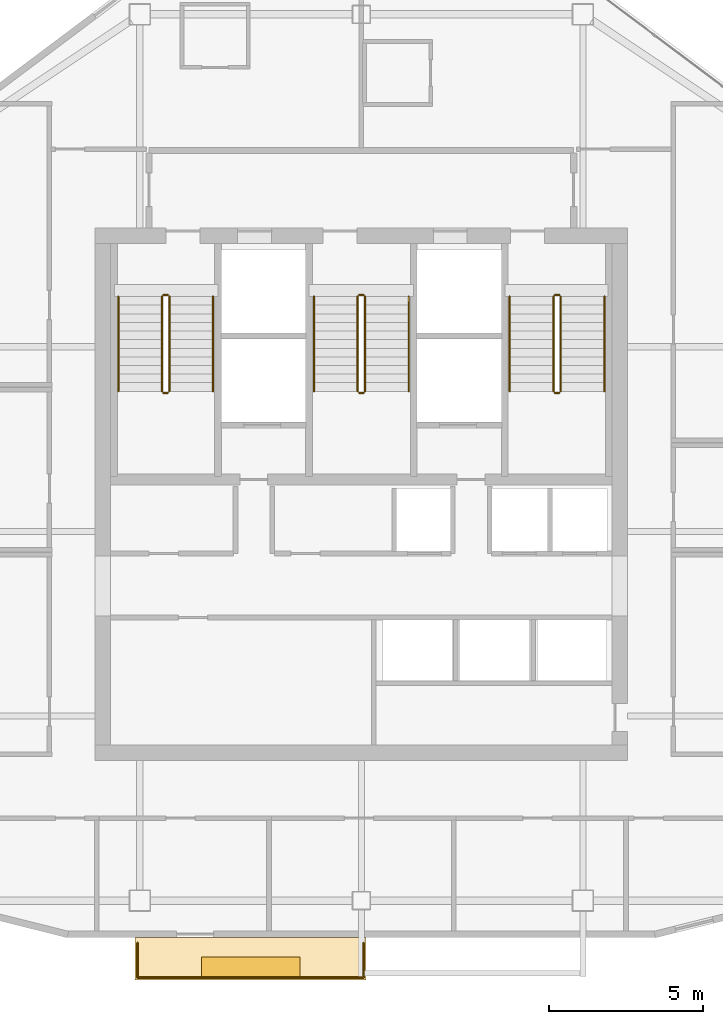
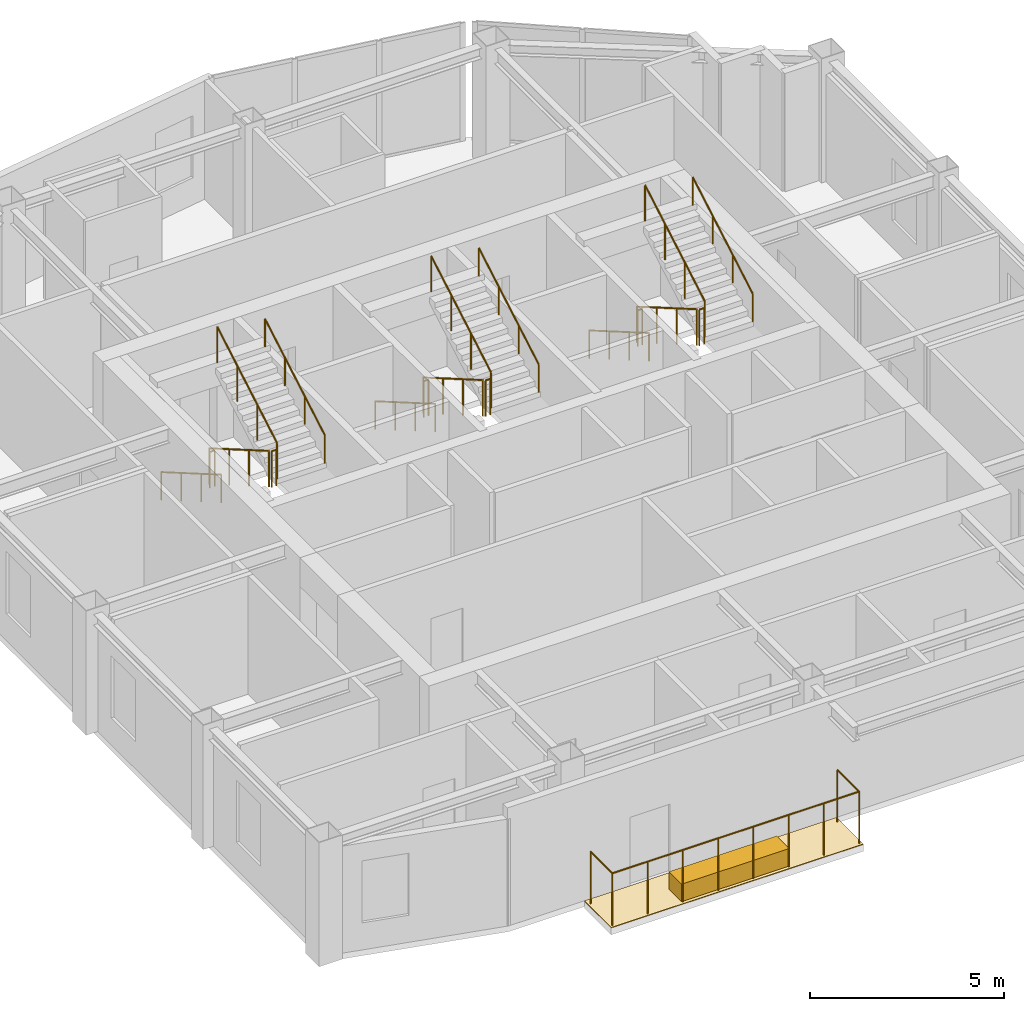
# One storey, part 8 of 8: 20 railings, 2 coverings.
"""IFC4 building model written with IfcOpenShell, lengths in metres."""

from ifc_helpers import new_model, si_unit, direction, frame, origin, origin_2d, place, context, subcontext, project, spatial, polyline, rectangle, circle, outline, extrude, material, layer, layer_set, type_object, element, save


model = new_model("IFC4")

# Units and contexts
model_context = context("Model", 3, precision=1e-05, world=origin(), true_north=direction((0.0, 1.0)))
body_context = subcontext(model_context, "Body", "Model", "MODEL_VIEW")
ifc_project = project(units=[si_unit("LENGTHUNIT", "METRE"), si_unit("AREAUNIT", "SQUARE_METRE"), si_unit("VOLUMEUNIT", "CUBIC_METRE"), si_unit("PLANEANGLEUNIT", "RADIAN"), si_unit("MASSUNIT", "GRAM", prefix="KILO")], contexts=[model_context])

# Site, building, storey
site_placement = place(None, origin())
site = spatial("IfcSite", under=ifc_project, at=site_placement, CompositionType="ELEMENT")
building_placement = place(site_placement, origin())
building = spatial("IfcBuilding", under=site, at=building_placement, Name="Haolan Belvedere Tower", CompositionType="ELEMENT")
storey_placement = place(building_placement, frame((0.0, 0.0, 301.699951171875)))
storey = spatial("IfcBuildingStorey", under=building, at=storey_placement, Name="L76", CompositionType="ELEMENT", Elevation=301.699951171875)

# Coverings
ifc_material_1 = material(Name="Engineered lightweight planted garden soil substrate", Category="masonry")
ifc_layer_1 = layer(ifc_material_1, 0.550048828125, Name="Engineered lightweight planted garden soil substrate")
ifc_layer_set_1 = layer_set([ifc_layer_1], Name="Engineered lightweight planted garden soil substrate")
covering_type_1 = type_object("IfcCoveringType", Name="COV-PLANT-550", PredefinedType="MEMBRANE", material=ifc_layer_set_1)
covering_1_placement = place(storey_placement, frame((34.800048828125, 19.43994140625, 0.0), z_axis=(0.0, 0.0, 1.0), x_axis=(1.0, 0.0, 0.0)))
element("IfcCovering", 1, at=covering_1_placement, inside=storey, type_object=covering_type_1, Name="L76 structural tree balcony PLANTER box 1", PredefinedType="MEMBRANE", context=body_context, shape_type="SweptSolid", body=[
    extrude(rectangle(XDim=3.199951171875, YDim=0.64990234375, at=origin_2d()), origin(), (0.0, 0.0, 1.0), 0.550048828125),
])
ifc_material_2 = material(Name="Elastomeric waterproof roofing membrane and stone pavers", Category="masonry")
ifc_layer_2 = layer(ifc_material_2, 0.02001953125, Name="Elastomeric waterproof roofing membrane and stone pavers")
ifc_layer_set_2 = layer_set([ifc_layer_2], Name="Elastomeric waterproof roofing membrane and stone pavers")
covering_type_2 = type_object("IfcCoveringType", Name="COV-ROOF-20", PredefinedType="ROOFING", material=ifc_layer_set_2)
covering_2_placement = place(storey_placement, frame((0.0, 0.0, -0.02001953125)))
element("IfcCovering", 2, at=covering_2_placement, inside=storey, type_object=covering_type_2, Name="L76 tree-balcony waterproof membrane 1", PredefinedType="ROOFING", context=body_context, shape_type="SweptSolid", body=[
    extrude(outline(polyline([(31.050048828125, 19.02001953125), (38.550048828125, 19.02001953125), (38.550048828125, 20.39990234375), (31.050048828125, 20.39990234375), (31.050048828125, 19.02001953125)])), origin(), (0.0, 0.0, 1.0), 0.02001953125),
])

# Railings
ifc_material_3 = material(Name="Brushed stainless steel 304", Category="steel")
railing_type_1 = type_object("IfcRailingType", Name="RL-STAIR-GRD-1150", PredefinedType="GUARDRAIL", material=ifc_material_3)
railing_1_placement = place(storey_placement, frame((31.919921875, 41.22998046875, 0.16259765625)))
element("IfcRailing", 3, at=railing_1_placement, inside=storey, type_object=railing_type_1, Name="L76 ST1 stair guard 1", PredefinedType="GUARDRAIL", context=body_context, shape_type="SweptSolid", body=[
    extrude(circle(Radius=0.02392578125, at=origin_2d()), frame((0.0, 0.0, 1.1259765625), z_axis=(0.0, -0.864920483161, 0.501908913857), x_axis=(1.0, 0.0, 0.0)), (0.0, 0.0, 1.0), 3.56103515625),
    extrude(circle(Radius=0.02099609375, at=origin_2d()), origin(), (0.0, 0.0, 1.0), 1.101806640625),
    extrude(circle(Radius=0.02099609375, at=origin_2d()), frame((0.0, -1.026611328125, 0.595703125)), (0.0, 0.0, 1.0), 1.101806640625),
    extrude(circle(Radius=0.02099609375, at=origin_2d()), frame((0.0, -2.053466796875, 1.191650390625)), (0.0, 0.0, 1.0), 1.101806640625),
    extrude(circle(Radius=0.02099609375, at=origin_2d()), frame((0.0, -3.080078125, 1.787353515625)), (0.0, 0.0, 1.0), 1.101806640625),
])
railing_2_placement = place(storey_placement, frame((31.969970703125, 38.10009765625, 1.949951171875)))
element("IfcRailing", 4, at=railing_2_placement, inside=storey, type_object=railing_type_1, Name="L76 ST1 stair guard 2", PredefinedType="GUARDRAIL", context=body_context, shape_type="SweptSolid", body=[
    extrude(circle(Radius=0.02392578125, at=origin_2d()), frame((0.0, 0.0, 1.1259765625), z_axis=(1.0, 0.0, 0.0), x_axis=(0.0, 1.0, 0.0)), (0.0, 0.0, 1.0), 0.14013671875),
    extrude(circle(Radius=0.02099609375, at=origin_2d()), origin(), (0.0, 0.0, 1.0), 1.101806640625),
    extrude(circle(Radius=0.02099609375, at=origin_2d()), frame((0.14013671875, 0.0, 0.0)), (0.0, 0.0, 1.0), 1.101806640625),
])
railing_3_placement = place(storey_placement, frame((32.159912109375, 38.14990234375, 2.112548828125)))
element("IfcRailing", 5, at=railing_3_placement, inside=storey, type_object=railing_type_1, Name="L76 ST1 stair guard 3", PredefinedType="GUARDRAIL", context=body_context, shape_type="SweptSolid", body=[
    extrude(circle(Radius=0.02392578125, at=origin_2d()), frame((0.0, 0.0, 1.1259765625), z_axis=(0.0, 0.864890721111, 0.501960198159), x_axis=(-1.0, 0.0, 0.0)), (0.0, 0.0, 1.0), 3.561279296875),
    extrude(circle(Radius=0.02099609375, at=origin_2d()), origin(), (0.0, 0.0, 1.0), 1.101806640625),
    extrude(circle(Radius=0.02099609375, at=origin_2d()), frame((0.0, 1.026611328125, 0.595947265625)), (0.0, 0.0, 1.0), 1.101806640625),
    extrude(circle(Radius=0.02099609375, at=origin_2d()), frame((0.0, 2.053466796875, 1.191650390625)), (0.0, 0.0, 1.0), 1.101806640625),
    extrude(circle(Radius=0.02099609375, at=origin_2d()), frame((0.0, 3.080078125, 1.78759765625)), (0.0, 0.0, 1.0), 1.101806640625),
])
railing_4_placement = place(storey_placement, frame((31.969970703125, 41.280029296875, 0.0)))
element("IfcRailing", 6, at=railing_4_placement, inside=storey, type_object=railing_type_1, Name="L76 ST1 stair guard 4", PredefinedType="GUARDRAIL", context=body_context, shape_type="SweptSolid", body=[
    extrude(circle(Radius=0.02392578125, at=origin_2d()), frame((0.0, 0.0, 1.1259765625), z_axis=(1.0, 0.0, 0.0), x_axis=(0.0, 1.0, 0.0)), (0.0, 0.0, 1.0), 0.14013671875),
    extrude(circle(Radius=0.02099609375, at=origin_2d()), origin(), (0.0, 0.0, 1.0), 1.101806640625),
    extrude(circle(Radius=0.02099609375, at=origin_2d()), frame((0.14013671875, 0.0, 0.0)), (0.0, 0.0, 1.0), 1.101806640625),
])
railing_5_placement = place(storey_placement, frame((38.280029296875, 41.22998046875, 0.16259765625)))
element("IfcRailing", 7, at=railing_5_placement, inside=storey, type_object=railing_type_1, Name="L76 ST3 stair guard 1", PredefinedType="GUARDRAIL", context=body_context, shape_type="SweptSolid", body=[
    extrude(circle(Radius=0.02392578125, at=origin_2d()), frame((0.0, 0.0, 1.1259765625), z_axis=(0.0, -0.864920483161, 0.501908913857), x_axis=(1.0, 0.0, 0.0)), (0.0, 0.0, 1.0), 3.56103515625),
    extrude(circle(Radius=0.02099609375, at=origin_2d()), origin(), (0.0, 0.0, 1.0), 1.101806640625),
    extrude(circle(Radius=0.02099609375, at=origin_2d()), frame((0.0, -1.026611328125, 0.595703125)), (0.0, 0.0, 1.0), 1.101806640625),
    extrude(circle(Radius=0.02099609375, at=origin_2d()), frame((0.0, -2.053466796875, 1.191650390625)), (0.0, 0.0, 1.0), 1.101806640625),
    extrude(circle(Radius=0.02099609375, at=origin_2d()), frame((0.0, -3.080078125, 1.787353515625)), (0.0, 0.0, 1.0), 1.101806640625),
])
railing_6_placement = place(storey_placement, frame((38.330078125, 38.10009765625, 1.949951171875)))
element("IfcRailing", 8, at=railing_6_placement, inside=storey, type_object=railing_type_1, Name="L76 ST3 stair guard 2", PredefinedType="GUARDRAIL", context=body_context, shape_type="SweptSolid", body=[
    extrude(circle(Radius=0.02392578125, at=origin_2d()), frame((0.0, 0.0, 1.1259765625), z_axis=(1.0, 0.0, 0.0), x_axis=(0.0, 1.0, 0.0)), (0.0, 0.0, 1.0), 0.139892578125),
    extrude(circle(Radius=0.02099609375, at=origin_2d()), origin(), (0.0, 0.0, 1.0), 1.101806640625),
    extrude(circle(Radius=0.02099609375, at=origin_2d()), frame((0.139892578125, 0.0, 0.0)), (0.0, 0.0, 1.0), 1.101806640625),
])
railing_7_placement = place(storey_placement, frame((38.52001953125, 38.14990234375, 2.112548828125)))
element("IfcRailing", 9, at=railing_7_placement, inside=storey, type_object=railing_type_1, Name="L76 ST3 stair guard 3", PredefinedType="GUARDRAIL", context=body_context, shape_type="SweptSolid", body=[
    extrude(circle(Radius=0.02392578125, at=origin_2d()), frame((0.0, 0.0, 1.1259765625), z_axis=(0.0, 0.864890721111, 0.501960198159), x_axis=(-1.0, 0.0, 0.0)), (0.0, 0.0, 1.0), 3.561279296875),
    extrude(circle(Radius=0.02099609375, at=origin_2d()), origin(), (0.0, 0.0, 1.0), 1.101806640625),
    extrude(circle(Radius=0.02099609375, at=origin_2d()), frame((0.0, 1.026611328125, 0.595947265625)), (0.0, 0.0, 1.0), 1.101806640625),
    extrude(circle(Radius=0.02099609375, at=origin_2d()), frame((0.0, 2.053466796875, 1.191650390625)), (0.0, 0.0, 1.0), 1.101806640625),
    extrude(circle(Radius=0.02099609375, at=origin_2d()), frame((0.0, 3.080078125, 1.78759765625)), (0.0, 0.0, 1.0), 1.101806640625),
])
railing_8_placement = place(storey_placement, frame((38.330078125, 41.280029296875, 0.0)))
element("IfcRailing", 10, at=railing_8_placement, inside=storey, type_object=railing_type_1, Name="L76 ST3 stair guard 4", PredefinedType="GUARDRAIL", context=body_context, shape_type="SweptSolid", body=[
    extrude(circle(Radius=0.02392578125, at=origin_2d()), frame((0.0, 0.0, 1.1259765625), z_axis=(1.0, 0.0, 0.0), x_axis=(0.0, 1.0, 0.0)), (0.0, 0.0, 1.0), 0.139892578125),
    extrude(circle(Radius=0.02099609375, at=origin_2d()), origin(), (0.0, 0.0, 1.0), 1.101806640625),
    extrude(circle(Radius=0.02099609375, at=origin_2d()), frame((0.139892578125, 0.0, 0.0)), (0.0, 0.0, 1.0), 1.101806640625),
])
railing_9_placement = place(storey_placement, frame((44.639892578125, 41.22998046875, 0.16259765625)))
element("IfcRailing", 11, at=railing_9_placement, inside=storey, type_object=railing_type_1, Name="L76 ST2 stair guard 1", PredefinedType="GUARDRAIL", context=body_context, shape_type="SweptSolid", body=[
    extrude(circle(Radius=0.02392578125, at=origin_2d()), frame((0.0, 0.0, 1.1259765625), z_axis=(0.0, -0.864920483161, 0.501908913857), x_axis=(1.0, 0.0, 0.0)), (0.0, 0.0, 1.0), 3.56103515625),
    extrude(circle(Radius=0.02099609375, at=origin_2d()), origin(), (0.0, 0.0, 1.0), 1.101806640625),
    extrude(circle(Radius=0.02099609375, at=origin_2d()), frame((0.0, -1.026611328125, 0.595703125)), (0.0, 0.0, 1.0), 1.101806640625),
    extrude(circle(Radius=0.02099609375, at=origin_2d()), frame((0.0, -2.053466796875, 1.191650390625)), (0.0, 0.0, 1.0), 1.101806640625),
    extrude(circle(Radius=0.02099609375, at=origin_2d()), frame((0.0, -3.080078125, 1.787353515625)), (0.0, 0.0, 1.0), 1.101806640625),
])
railing_10_placement = place(storey_placement, frame((44.68994140625, 38.10009765625, 1.949951171875)))
element("IfcRailing", 12, at=railing_10_placement, inside=storey, type_object=railing_type_1, Name="L76 ST2 stair guard 2", PredefinedType="GUARDRAIL", context=body_context, shape_type="SweptSolid", body=[
    extrude(circle(Radius=0.02392578125, at=origin_2d()), frame((0.0, 0.0, 1.1259765625), z_axis=(1.0, 0.0, 0.0), x_axis=(0.0, 1.0, 0.0)), (0.0, 0.0, 1.0), 0.14013671875),
    extrude(circle(Radius=0.02099609375, at=origin_2d()), origin(), (0.0, 0.0, 1.0), 1.101806640625),
    extrude(circle(Radius=0.02099609375, at=origin_2d()), frame((0.14013671875, 0.0, 0.0)), (0.0, 0.0, 1.0), 1.101806640625),
])
railing_11_placement = place(storey_placement, frame((44.8798828125, 38.14990234375, 2.112548828125)))
element("IfcRailing", 13, at=railing_11_placement, inside=storey, type_object=railing_type_1, Name="L76 ST2 stair guard 3", PredefinedType="GUARDRAIL", context=body_context, shape_type="SweptSolid", body=[
    extrude(circle(Radius=0.02392578125, at=origin_2d()), frame((0.0, 0.0, 1.1259765625), z_axis=(0.0, 0.864890721111, 0.501960198159), x_axis=(-1.0, 0.0, 0.0)), (0.0, 0.0, 1.0), 3.561279296875),
    extrude(circle(Radius=0.02099609375, at=origin_2d()), origin(), (0.0, 0.0, 1.0), 1.101806640625),
    extrude(circle(Radius=0.02099609375, at=origin_2d()), frame((0.0, 1.026611328125, 0.595947265625)), (0.0, 0.0, 1.0), 1.101806640625),
    extrude(circle(Radius=0.02099609375, at=origin_2d()), frame((0.0, 2.053466796875, 1.191650390625)), (0.0, 0.0, 1.0), 1.101806640625),
    extrude(circle(Radius=0.02099609375, at=origin_2d()), frame((0.0, 3.080078125, 1.78759765625)), (0.0, 0.0, 1.0), 1.101806640625),
])
railing_12_placement = place(storey_placement, frame((44.68994140625, 41.280029296875, 0.0)))
element("IfcRailing", 14, at=railing_12_placement, inside=storey, type_object=railing_type_1, Name="L76 ST2 stair guard 4", PredefinedType="GUARDRAIL", context=body_context, shape_type="SweptSolid", body=[
    extrude(circle(Radius=0.02392578125, at=origin_2d()), frame((0.0, 0.0, 1.1259765625), z_axis=(1.0, 0.0, 0.0), x_axis=(0.0, 1.0, 0.0)), (0.0, 0.0, 1.0), 0.14013671875),
    extrude(circle(Radius=0.02099609375, at=origin_2d()), origin(), (0.0, 0.0, 1.0), 1.101806640625),
    extrude(circle(Radius=0.02099609375, at=origin_2d()), frame((0.14013671875, 0.0, 0.0)), (0.0, 0.0, 1.0), 1.101806640625),
])
railing_type_2 = type_object("IfcRailingType", Name="RL-STAIR-HND-900", PredefinedType="HANDRAIL", material=ifc_material_3)
railing_13_placement = place(storey_placement, frame((30.5, 41.22998046875, 0.16259765625)))
element("IfcRailing", 15, at=railing_13_placement, inside=storey, type_object=railing_type_2, Name="L76 ST1 stair handrail 1", PredefinedType="HANDRAIL", context=body_context, shape_type="SweptSolid", body=[
    extrude(circle(Radius=0.02392578125, at=origin_2d()), frame((0.0, 0.0, 0.8759765625), z_axis=(0.0, -0.864920483161, 0.501908913857), x_axis=(1.0, 0.0, 0.0)), (0.0, 0.0, 1.0), 3.56103515625),
    extrude(circle(Radius=0.02099609375, at=origin_2d()), origin(), (0.0, 0.0, 1.0), 0.851806640625),
    extrude(circle(Radius=0.02099609375, at=origin_2d()), frame((0.0, -1.026611328125, 0.595703125)), (0.0, 0.0, 1.0), 0.851806640625),
    extrude(circle(Radius=0.02099609375, at=origin_2d()), frame((0.0, -2.053466796875, 1.191650390625)), (0.0, 0.0, 1.0), 0.851806640625),
    extrude(circle(Radius=0.02099609375, at=origin_2d()), frame((0.0, -3.080078125, 1.787353515625)), (0.0, 0.0, 1.0), 0.851806640625),
])
railing_14_placement = place(storey_placement, frame((33.580078125, 38.14990234375, 2.112548828125)))
element("IfcRailing", 16, at=railing_14_placement, inside=storey, type_object=railing_type_2, Name="L76 ST1 stair handrail 2", PredefinedType="HANDRAIL", context=body_context, shape_type="SweptSolid", body=[
    extrude(circle(Radius=0.02392578125, at=origin_2d()), frame((0.0, 0.0, 0.8759765625), z_axis=(0.0, 0.864890721111, 0.501960198159), x_axis=(-1.0, 0.0, 0.0)), (0.0, 0.0, 1.0), 3.561279296875),
    extrude(circle(Radius=0.02099609375, at=origin_2d()), origin(), (0.0, 0.0, 1.0), 0.851806640625),
    extrude(circle(Radius=0.02099609375, at=origin_2d()), frame((0.0, 1.026611328125, 0.595947265625)), (0.0, 0.0, 1.0), 0.851806640625),
    extrude(circle(Radius=0.02099609375, at=origin_2d()), frame((0.0, 2.053466796875, 1.191650390625)), (0.0, 0.0, 1.0), 0.851806640625),
    extrude(circle(Radius=0.02099609375, at=origin_2d()), frame((0.0, 3.080078125, 1.78759765625)), (0.0, 0.0, 1.0), 0.851806640625),
])
railing_15_placement = place(storey_placement, frame((36.860107421875, 41.22998046875, 0.16259765625)))
element("IfcRailing", 17, at=railing_15_placement, inside=storey, type_object=railing_type_2, Name="L76 ST3 stair handrail 1", PredefinedType="HANDRAIL", context=body_context, shape_type="SweptSolid", body=[
    extrude(circle(Radius=0.02392578125, at=origin_2d()), frame((0.0, 0.0, 0.8759765625), z_axis=(0.0, -0.864920483161, 0.501908913857), x_axis=(1.0, 0.0, 0.0)), (0.0, 0.0, 1.0), 3.56103515625),
    extrude(circle(Radius=0.02099609375, at=origin_2d()), origin(), (0.0, 0.0, 1.0), 0.851806640625),
    extrude(circle(Radius=0.02099609375, at=origin_2d()), frame((0.0, -1.026611328125, 0.595703125)), (0.0, 0.0, 1.0), 0.851806640625),
    extrude(circle(Radius=0.02099609375, at=origin_2d()), frame((0.0, -2.053466796875, 1.191650390625)), (0.0, 0.0, 1.0), 0.851806640625),
    extrude(circle(Radius=0.02099609375, at=origin_2d()), frame((0.0, -3.080078125, 1.787353515625)), (0.0, 0.0, 1.0), 0.851806640625),
])
railing_16_placement = place(storey_placement, frame((39.93994140625, 38.14990234375, 2.112548828125)))
element("IfcRailing", 18, at=railing_16_placement, inside=storey, type_object=railing_type_2, Name="L76 ST3 stair handrail 2", PredefinedType="HANDRAIL", context=body_context, shape_type="SweptSolid", body=[
    extrude(circle(Radius=0.02392578125, at=origin_2d()), frame((0.0, 0.0, 0.8759765625), z_axis=(0.0, 0.864890721111, 0.501960198159), x_axis=(-1.0, 0.0, 0.0)), (0.0, 0.0, 1.0), 3.561279296875),
    extrude(circle(Radius=0.02099609375, at=origin_2d()), origin(), (0.0, 0.0, 1.0), 0.851806640625),
    extrude(circle(Radius=0.02099609375, at=origin_2d()), frame((0.0, 1.026611328125, 0.595947265625)), (0.0, 0.0, 1.0), 0.851806640625),
    extrude(circle(Radius=0.02099609375, at=origin_2d()), frame((0.0, 2.053466796875, 1.191650390625)), (0.0, 0.0, 1.0), 0.851806640625),
    extrude(circle(Radius=0.02099609375, at=origin_2d()), frame((0.0, 3.080078125, 1.78759765625)), (0.0, 0.0, 1.0), 0.851806640625),
])
railing_17_placement = place(storey_placement, frame((43.219970703125, 41.22998046875, 0.16259765625)))
element("IfcRailing", 19, at=railing_17_placement, inside=storey, type_object=railing_type_2, Name="L76 ST2 stair handrail 1", PredefinedType="HANDRAIL", context=body_context, shape_type="SweptSolid", body=[
    extrude(circle(Radius=0.02392578125, at=origin_2d()), frame((0.0, 0.0, 0.8759765625), z_axis=(0.0, -0.864920483161, 0.501908913857), x_axis=(1.0, 0.0, 0.0)), (0.0, 0.0, 1.0), 3.56103515625),
    extrude(circle(Radius=0.02099609375, at=origin_2d()), origin(), (0.0, 0.0, 1.0), 0.851806640625),
    extrude(circle(Radius=0.02099609375, at=origin_2d()), frame((0.0, -1.026611328125, 0.595703125)), (0.0, 0.0, 1.0), 0.851806640625),
    extrude(circle(Radius=0.02099609375, at=origin_2d()), frame((0.0, -2.053466796875, 1.191650390625)), (0.0, 0.0, 1.0), 0.851806640625),
    extrude(circle(Radius=0.02099609375, at=origin_2d()), frame((0.0, -3.080078125, 1.787353515625)), (0.0, 0.0, 1.0), 0.851806640625),
])
railing_18_placement = place(storey_placement, frame((46.300048828125, 38.14990234375, 2.112548828125)))
element("IfcRailing", 20, at=railing_18_placement, inside=storey, type_object=railing_type_2, Name="L76 ST2 stair handrail 2", PredefinedType="HANDRAIL", context=body_context, shape_type="SweptSolid", body=[
    extrude(circle(Radius=0.02392578125, at=origin_2d()), frame((0.0, 0.0, 0.8759765625), z_axis=(0.0, 0.864890721111, 0.501960198159), x_axis=(-1.0, 0.0, 0.0)), (0.0, 0.0, 1.0), 3.561279296875),
    extrude(circle(Radius=0.02099609375, at=origin_2d()), origin(), (0.0, 0.0, 1.0), 0.851806640625),
    extrude(circle(Radius=0.02099609375, at=origin_2d()), frame((0.0, 1.026611328125, 0.595947265625)), (0.0, 0.0, 1.0), 0.851806640625),
    extrude(circle(Radius=0.02099609375, at=origin_2d()), frame((0.0, 2.053466796875, 1.191650390625)), (0.0, 0.0, 1.0), 0.851806640625),
    extrude(circle(Radius=0.02099609375, at=origin_2d()), frame((0.0, 3.080078125, 1.78759765625)), (0.0, 0.0, 1.0), 0.851806640625),
])
ifc_material_4 = material(Name="Anodised aluminium and laminated glass balustrade", Category="aluminium")
railing_type_3 = type_object("IfcRailingType", Name="RL-TER-BAL-1150", PredefinedType="BALUSTRADE", material=ifc_material_4)
railing_19_placement = place(storey_placement, frame((31.1298828125, 19.10009765625, 0.0)))
element("IfcRailing", 21, at=railing_19_placement, inside=storey, type_object=railing_type_3, Name="L76 outdoor perimeter balustrade BAL-L76-1-1", PredefinedType="BALUSTRADE", context=body_context, shape_type="SweptSolid", body=[
    extrude(circle(Radius=0.02392578125, at=origin_2d()), frame((0.0, 0.0, 1.6259765625), z_axis=(0.0, 1.0, 0.0), x_axis=(-1.0, 0.0, 0.0)), (0.0, 0.0, 1.0), 1.119873046875),
    extrude(circle(Radius=0.02099609375, at=origin_2d()), origin(), (0.0, 0.0, 1.0), 1.601806640625),
    extrude(circle(Radius=0.02099609375, at=origin_2d()), frame((0.0, 1.119873046875, 0.0)), (0.0, 0.0, 1.0), 1.601806640625),
])
railing_20_placement = place(storey_placement, frame((38.469970703125, 20.219970703125, 0.0)))
element("IfcRailing", 22, at=railing_20_placement, inside=storey, type_object=railing_type_3, Name="L76 outdoor perimeter balustrade BAL-L76-1-2", PredefinedType="BALUSTRADE", context=body_context, shape_type="SweptSolid", body=[
    extrude(circle(Radius=0.02392578125, at=origin_2d()), frame((0.0, 0.0, 1.6259765625), z_axis=(0.0, -1.0, 0.0), x_axis=(1.0, 0.0, 0.0)), (0.0, 0.0, 1.0), 1.119873046875),
    extrude(circle(Radius=0.02392578125, at=origin_2d()), frame((0.0, -1.119873046875, 1.6259765625), z_axis=(-1.0, 0.0, 0.0), x_axis=(0.0, -1.0, 0.0)), (0.0, 0.0, 1.0), 7.340087890625),
    extrude(circle(Radius=0.02099609375, at=origin_2d()), origin(), (0.0, 0.0, 1.0), 1.601806640625),
    extrude(circle(Radius=0.02099609375, at=origin_2d()), frame((0.0, -1.119873046875, 0.0)), (0.0, 0.0, 1.0), 1.601806640625),
    extrude(circle(Radius=0.02099609375, at=origin_2d()), frame((-1.048583984375, -1.119873046875, 0.0)), (0.0, 0.0, 1.0), 1.601806640625),
    extrude(circle(Radius=0.02099609375, at=origin_2d()), frame((-2.09716796875, -1.119873046875, 0.0)), (0.0, 0.0, 1.0), 1.601806640625),
    extrude(circle(Radius=0.02099609375, at=origin_2d()), frame((-3.145751953125, -1.119873046875, 0.0)), (0.0, 0.0, 1.0), 1.601806640625),
    extrude(circle(Radius=0.02099609375, at=origin_2d()), frame((-4.1943359375, -1.119873046875, 0.0)), (0.0, 0.0, 1.0), 1.601806640625),
    extrude(circle(Radius=0.02099609375, at=origin_2d()), frame((-5.242919921875, -1.119873046875, 0.0)), (0.0, 0.0, 1.0), 1.601806640625),
    extrude(circle(Radius=0.02099609375, at=origin_2d()), frame((-6.29150390625, -1.119873046875, 0.0)), (0.0, 0.0, 1.0), 1.601806640625),
    extrude(circle(Radius=0.02099609375, at=origin_2d()), frame((-7.340087890625, -1.119873046875, 0.0)), (0.0, 0.0, 1.0), 1.601806640625),
])

save(model, "model.ifc")
